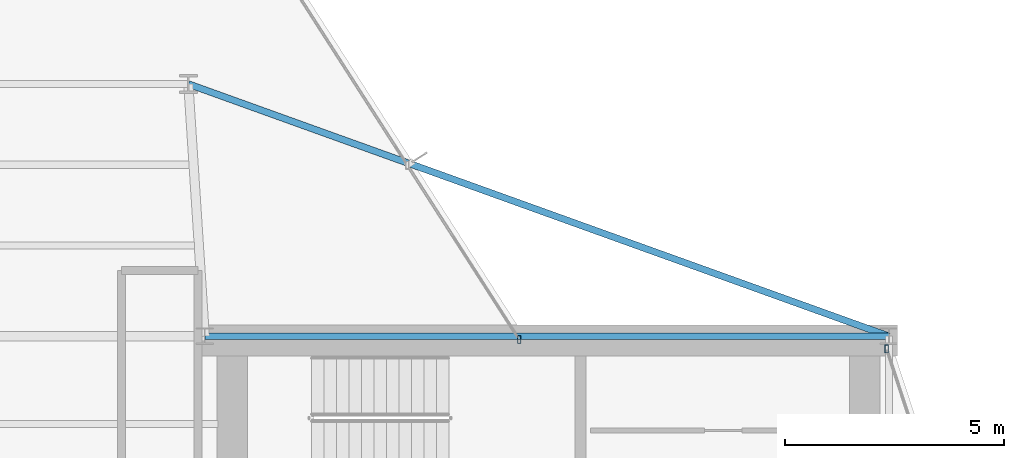
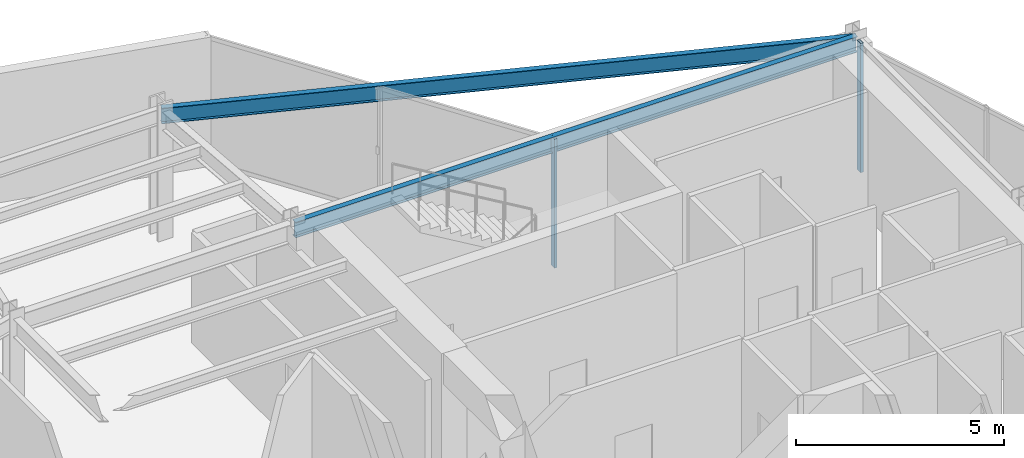
# One storey, part 16 of 23: 2 beams, 2 members, 2 elements without a shape of their own.
"""IFC4 building model written with IfcOpenShell, lengths in metres."""

from ifc_helpers import new_model, si_unit, direction, frame, origin, origin_2d, place, context, subcontext, project, spatial, hollow_rectangle, i_section, extrude, material, layer, layer_set, material_profile, profile_set, type_object, element, aggregate, save


model = new_model("IFC4")

# Units and contexts
model_context = context("Model", 3, precision=1e-05, world=origin(), true_north=direction((0.0, 1.0)))
body_context = subcontext(model_context, "Body", "Model", "MODEL_VIEW")
ifc_project = project(units=[si_unit("LENGTHUNIT", "METRE"), si_unit("AREAUNIT", "SQUARE_METRE"), si_unit("VOLUMEUNIT", "CUBIC_METRE"), si_unit("PLANEANGLEUNIT", "RADIAN"), si_unit("MASSUNIT", "GRAM", prefix="KILO")], contexts=[model_context])

# Site, building, storey
site_placement = place(None, origin())
site = spatial("IfcSite", under=ifc_project, at=site_placement, CompositionType="ELEMENT")
building_placement = place(site_placement, origin())
building = spatial("IfcBuilding", under=site, at=building_placement, Name="Veymaron Broadcast Tower", CompositionType="ELEMENT")
storey_placement = place(building_placement, frame((0.0, 0.0, 191.85009765625)))
storey = spatial("IfcBuildingStorey", under=building, at=storey_placement, Name="L44", CompositionType="ELEMENT", Elevation=191.85009765625)

# Beams
ifc_material_1 = material(Name="Structural steel ASTM A992 Gr 50", Category="steel")
ifc_material_profile_1 = material_profile(ifc_material_1, i_section(OverallWidth=0.154052734375, OverallDepth=0.458984375, WebThickness=0.009033203125, FlangeThickness=0.015380859375, at=origin_2d()), Name="W460X68")
ifc_profile_set_1 = profile_set([ifc_material_profile_1], Name="Structural steel ASTM A992 Gr 50")
beam_type = type_object("IfcBeamType", Name="BM-SP2", PredefinedType="SPANDREL", material=ifc_profile_set_1)
beam_1_placement = place(storey_placement, frame((39.0, 32.0, 3.560302734375), z_axis=(1.0, 0.0, 0.0), x_axis=(0.0, 1.0, 0.0)))
element("IfcBeam", 1, at=beam_1_placement, inside=storey, type_object=beam_type, Name="L44 primary structural floor girder", PredefinedType="SPANDREL", context=body_context, shape_type="SweptSolid", body=[
    extrude(i_section(OverallWidth=0.154052734375, OverallDepth=0.458984375, WebThickness=0.009033203125, FlangeThickness=0.015380859375, at=origin_2d()), origin(), (0.0, 0.0, 1.0), 15.60009765625),
])
beam_2_placement = place(storey_placement, frame((54.60009765625, 32.0, 3.560302734375), z_axis=(-0.940906840948, 0.33866549375, 0.0), x_axis=(-0.33866549375, -0.940906840948, 0.0)))
element("IfcBeam", 2, at=beam_2_placement, inside=storey, type_object=beam_type, Name="L44 primary structural floor girder", PredefinedType="SPANDREL", context=body_context, shape_type="SweptSolid", body=[
    extrude(i_section(OverallWidth=0.154052734375, OverallDepth=0.458984375, WebThickness=0.009033203125, FlangeThickness=0.015380859375, at=origin_2d()), origin(), (0.0, 0.0, 1.0), 16.978515625),
])

# Curtain wall, member
ifc_material_2 = material(Name="Anodised aluminium AA 6063-T6 and laminated low-E dark glass", Category="aluminium")
ifc_layer = layer(ifc_material_2, 0.179931640625)
ifc_layer_set = layer_set([ifc_layer], Name="Anodised aluminium AA 6063-T6 and laminated low-E dark glass")
curtain_wall_type = type_object("IfcCurtainWallType", Name="CW-SYS-05", PredefinedType="NOTDEFINED", material=ifc_layer_set)
curtain_wall_1_placement = place(storey_placement, origin())
curtain_wall_1 = element("IfcCurtainWall", 3, at=curtain_wall_1_placement, inside=storey, type_object=curtain_wall_type, Name="L44 dark-glass curtain wall CW-L44-E3-1", PredefinedType="NOTDEFINED")
ifc_material_3 = material(Name="Anodised aluminium AA 6063-T6", Category="aluminium")
ifc_material_profile_2 = material_profile(ifc_material_3, hollow_rectangle(XDim=0.074951171875, YDim=0.179931640625, WallThickness=0.0048828125, at=origin_2d()), Name="AL180X75X5")
ifc_profile_set_2 = profile_set([ifc_material_profile_2], Name="Anodised aluminium AA 6063-T6")
member_type = type_object("IfcMemberType", Name="CW-MUL-02", PredefinedType="MULLION", material=ifc_profile_set_2)
member_1_placement = place(storey_placement, frame((54.54736328125, 31.711669921875, 0.0), z_axis=(0.0, 0.0, 1.0), x_axis=(1.0, 0.0, 0.0)))
member_1 = element("IfcMember", 4, at=member_1_placement, type_object=member_type, Name="CW-L44-E3-1 mullion 2", PredefinedType="MULLION", context=body_context, shape_type="SweptSolid", body=[
    extrude(hollow_rectangle(XDim=0.074951171875, YDim=0.179931640625, WallThickness=0.0048828125, at=origin_2d()), origin(), (0.0, 0.0, 1.0), 3.789794921875),
])
aggregate(curtain_wall_1, [member_1])

curtain_wall_2_placement = place(storey_placement, origin())
curtain_wall_2 = element("IfcCurtainWall", 5, at=curtain_wall_2_placement, inside=storey, type_object=curtain_wall_type, Name="L44 dark-glass curtain wall CW-L44-E5-1", PredefinedType="NOTDEFINED")
member_2_placement = place(storey_placement, frame((46.1689453125, 31.92431640625, 0.0), z_axis=(0.0, 0.0, 1.0), x_axis=(1.0, 0.0, 0.0)))
member_2 = element("IfcMember", 6, at=member_2_placement, type_object=member_type, Name="CW-L44-E5-1 mullion 0", PredefinedType="MULLION", context=body_context, shape_type="SweptSolid", body=[
    extrude(hollow_rectangle(XDim=0.074951171875, YDim=0.179931640625, WallThickness=0.0048828125, at=origin_2d()), origin(), (0.0, 0.0, 1.0), 3.789794921875),
])
aggregate(curtain_wall_2, [member_2])

save(model, "model.ifc")
